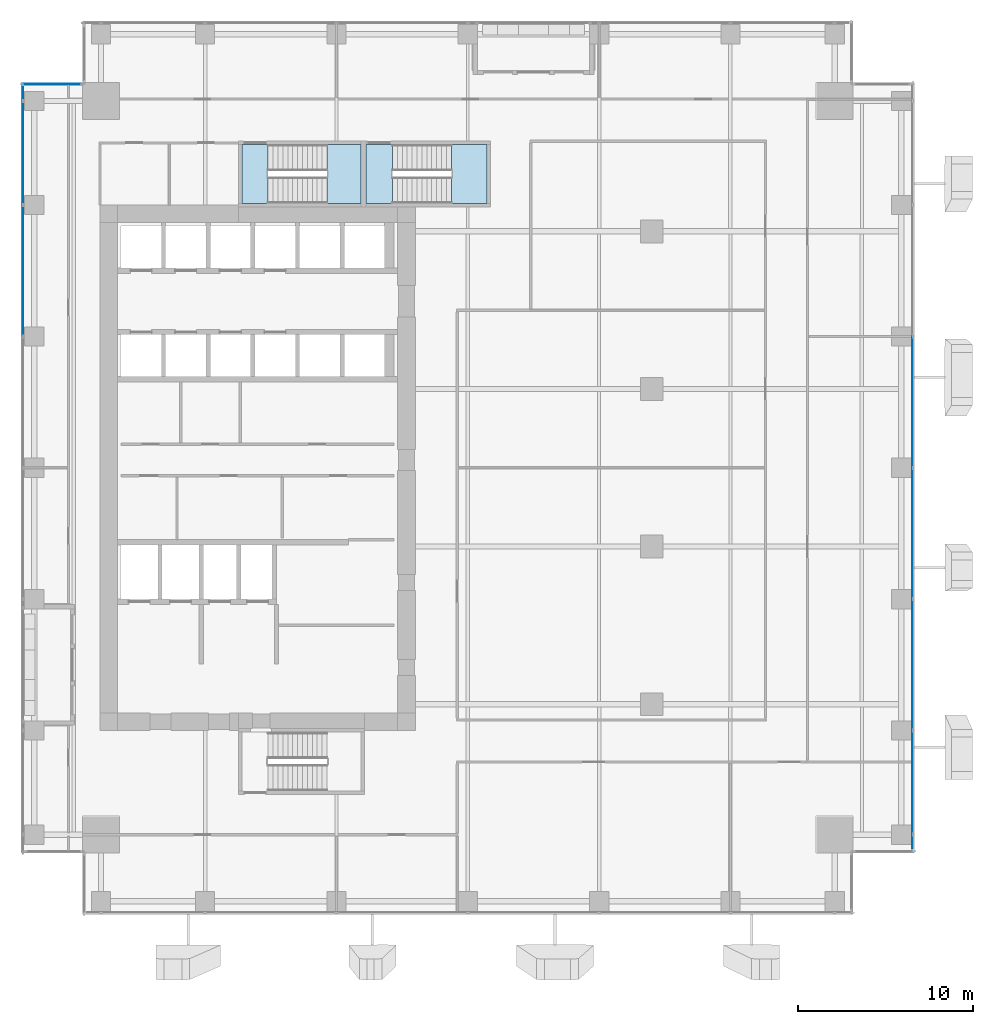
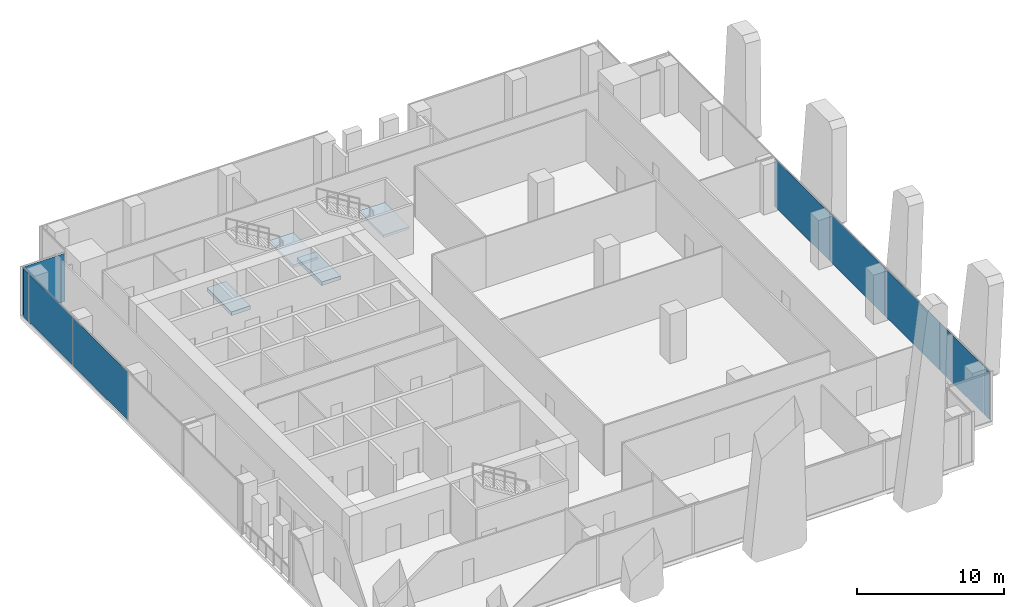
# One storey, part 25 of 35: 9 plates, 4 slabs, 5 elements without a shape of their own.
"""IFC4 building model written with IfcOpenShell, lengths in metres."""

from ifc_helpers import new_model, si_unit, direction, frame, origin, origin_2d, place, context, subcontext, project, spatial, polyline, rectangle, outline, extrude, source, transform, mapped, material, layer, layer_set, type_object, element, aggregate, save


model = new_model("IFC4")

# Units and contexts
model_context = context("Model", 3, precision=1e-05, world=origin(), true_north=direction((0.0, 1.0)))
body_context = subcontext(model_context, "Body", "Model", "MODEL_VIEW")
ifc_project = project(units=[si_unit("LENGTHUNIT", "METRE"), si_unit("AREAUNIT", "SQUARE_METRE"), si_unit("VOLUMEUNIT", "CUBIC_METRE"), si_unit("PLANEANGLEUNIT", "RADIAN"), si_unit("MASSUNIT", "GRAM", prefix="KILO")], contexts=[model_context])

# Site, building, storey
site_placement = place(None, origin())
site = spatial("IfcSite", under=ifc_project, at=site_placement, CompositionType="ELEMENT")
building_placement = place(site_placement, origin())
building = spatial("IfcBuilding", under=site, at=building_placement, Name="Khomas Fold Tower", CompositionType="ELEMENT")
storey_placement = place(building_placement, frame((0.0, 0.0, 119.10009765625)))
storey = spatial("IfcBuildingStorey", under=building, at=storey_placement, Name="L25", CompositionType="ELEMENT", Elevation=119.10009765625)

# Curtain wall, plate
ifc_material_1 = material(Name="Aluminium framed double glazing", Category="aluminium")
curtain_wall_type = type_object("IfcCurtainWallType", Name="SK-Unitised clear-glass wall, growing floors CW1", PredefinedType="NOTDEFINED", material=ifc_material_1)
curtain_wall_1_placement = place(storey_placement, origin())
curtain_wall_1 = element("IfcCurtainWall", 1, at=curtain_wall_1_placement, inside=storey, type_object=curtain_wall_type, Name="CW1 run L25 03-0", PredefinedType="NOTDEFINED")
ifc_material_2 = material(Name="Clear double glazed unit")
ifc_layer_1 = layer(ifc_material_2, 0.031982421875)
ifc_layer_set_1 = layer_set([ifc_layer_1], Name="Clear double glazed unit")
plate_type = type_object("IfcPlateType", Name="SK-Unitised clear-glass wall, growing floors glass panel CW1-P", PredefinedType="CURTAIN_PANEL", material=ifc_layer_set_1)
shared_shape_1 = source(origin(), body_context, "Body", "SweptSolid", [
    extrude(rectangle(XDim=0.760009765625, YDim=0.031982421875, at=origin_2d()), origin(), (0.0, 0.0, 1.0), 3.97998046875),
])
plate_1_placement = place(storey_placement, frame((52.39990234375, 5.639892578125, 0.0), z_axis=(0.0, 0.0, 1.0), x_axis=(0.0, 1.0, 0.0)))
plate_1 = element("IfcPlate", 2, at=plate_1_placement, type_object=plate_type, Name="CW1 glass panel 1", PredefinedType="CURTAIN_PANEL", context=body_context, shape_type="MappedRepresentation", body=[
    mapped(shared_shape_1, transform((0.0, 0.0, 0.0))),
])

curtain_wall_2_placement = place(storey_placement, origin())
curtain_wall_2 = element("IfcCurtainWall", 3, at=curtain_wall_2_placement, inside=storey, type_object=curtain_wall_type, Name="CW1 run L25 09-0", PredefinedType="NOTDEFINED")
plate_2_placement = place(storey_placement, frame((1.60009765625, 48.360107421875, 0.0), z_axis=(0.0, 0.0, 1.0), x_axis=(0.0, -1.0, 0.0)))
plate_2 = element("IfcPlate", 4, at=plate_2_placement, type_object=plate_type, Name="CW1 glass panel 1", PredefinedType="CURTAIN_PANEL", context=body_context, shape_type="MappedRepresentation", body=[
    mapped(shared_shape_1, transform((0.0, 0.0, 0.0))),
])

# Plate
shared_shape_2 = source(origin(), body_context, "Body", "SweptSolid", [
    extrude(rectangle(XDim=5.889892578125, YDim=0.031982421875, at=origin_2d()), origin(), (0.0, 0.0, 1.0), 3.97998046875),
])
plate_3_placement = place(storey_placement, frame((52.39990234375, 9.02490234375, 0.0), z_axis=(0.0, 0.0, 1.0), x_axis=(0.0, 1.0, 0.0)))
plate_3 = element("IfcPlate", 5, at=plate_3_placement, type_object=plate_type, Name="CW1 glass panel 2", PredefinedType="CURTAIN_PANEL", context=body_context, shape_type="MappedRepresentation", body=[
    mapped(shared_shape_2, transform((0.0, 0.0, 0.0))),
])

plate_4_placement = place(storey_placement, frame((1.60009765625, 44.97509765625, 0.0), z_axis=(0.0, 0.0, 1.0), x_axis=(0.0, -1.0, 0.0)))
plate_4 = element("IfcPlate", 6, at=plate_4_placement, type_object=plate_type, Name="CW1 glass panel 2", PredefinedType="CURTAIN_PANEL", context=body_context, shape_type="MappedRepresentation", body=[
    mapped(shared_shape_2, transform((0.0, 0.0, 0.0))),
])

shared_shape_3 = source(origin(), body_context, "Body", "SweptSolid", [
    extrude(rectangle(XDim=7.43994140625, YDim=0.031982421875, at=origin_2d()), origin(), (0.0, 0.0, 1.0), 3.97998046875),
])
plate_5_placement = place(storey_placement, frame((52.39990234375, 15.75, 0.0), z_axis=(0.0, 0.0, 1.0), x_axis=(0.0, 1.0, 0.0)))
plate_5 = element("IfcPlate", 7, at=plate_5_placement, type_object=plate_type, Name="CW1 glass panel 3", PredefinedType="CURTAIN_PANEL", context=body_context, shape_type="MappedRepresentation", body=[
    mapped(shared_shape_3, transform((0.0, 0.0, 0.0))),
])

plate_6_placement = place(storey_placement, frame((52.39990234375, 23.25, 0.0), z_axis=(0.0, 0.0, 1.0), x_axis=(0.0, 1.0, 0.0)))
plate_6 = element("IfcPlate", 8, at=plate_6_placement, type_object=plate_type, Name="CW1 glass panel 4", PredefinedType="CURTAIN_PANEL", context=body_context, shape_type="MappedRepresentation", body=[
    mapped(shared_shape_3, transform((0.0, 0.0, 0.0))),
])

plate_7_placement = place(storey_placement, frame((52.39990234375, 30.75, 0.0), z_axis=(0.0, 0.0, 1.0), x_axis=(0.0, 1.0, 0.0)))
plate_7 = element("IfcPlate", 9, at=plate_7_placement, type_object=plate_type, Name="CW1 glass panel 5", PredefinedType="CURTAIN_PANEL", context=body_context, shape_type="MappedRepresentation", body=[
    mapped(shared_shape_3, transform((0.0, 0.0, 0.0))),
])

aggregate(curtain_wall_1, [plate_1, plate_3, plate_5, plate_6, plate_7])

plate_8_placement = place(storey_placement, frame((1.60009765625, 38.25, 0.0), z_axis=(0.0, 0.0, 1.0), x_axis=(0.0, -1.0, 0.0)))
plate_8 = element("IfcPlate", 10, at=plate_8_placement, type_object=plate_type, Name="CW1 glass panel 3", PredefinedType="CURTAIN_PANEL", context=body_context, shape_type="MappedRepresentation", body=[
    mapped(shared_shape_3, transform((0.0, 0.0, 0.0))),
])

aggregate(curtain_wall_2, [plate_2, plate_4, plate_8])

# Curtain wall, plate
curtain_wall_3_placement = place(storey_placement, origin())
curtain_wall_3 = element("IfcCurtainWall", 11, at=curtain_wall_3_placement, inside=storey, type_object=curtain_wall_type, Name="CW1 corner return L25 08", PredefinedType="NOTDEFINED")
shared_shape_4 = source(origin(), body_context, "Body", "SweptSolid", [
    extrude(rectangle(XDim=3.3798828125, YDim=0.031982421875, at=origin_2d()), origin(), (0.0, 0.0, 1.0), 3.97998046875),
])
plate_9_placement = place(storey_placement, frame((3.25, 48.89990234375, 0.0), z_axis=(0.0, 0.0, 1.0), x_axis=(-1.0, 0.0, 0.0)))
plate_9 = element("IfcPlate", 12, at=plate_9_placement, type_object=plate_type, Name="CW1 glass panel 1", PredefinedType="CURTAIN_PANEL", context=body_context, shape_type="MappedRepresentation", body=[
    mapped(shared_shape_4, transform((0.0, 0.0, 0.0))),
])
aggregate(curtain_wall_3, [plate_9])

# Stair, slab
ifc_material_3 = material(Name="Concrete C40/50", Category="concrete")
stair_type_1 = type_object("IfcStairType", Name="Stair ST1", PredefinedType="HALF_TURN_STAIR", material=ifc_material_3)
stair_1_placement = place(storey_placement, origin())
stair_1 = element("IfcStair", 13, at=stair_1_placement, inside=storey, type_object=stair_type_1, Name="L25 ST1", PredefinedType="HALF_TURN_STAIR")
ifc_material_4 = material(Name="Concrete C40/50", Category="concrete")
ifc_layer_2 = layer(ifc_material_4, 0.199951171875)
ifc_layer_set_2 = layer_set([ifc_layer_2], Name="Concrete C40/50")
slab_type_1 = type_object("IfcSlabType", Name="Stair landing 200", PredefinedType="LANDING", material=ifc_layer_set_2)
shared_shape_5 = source(origin(), body_context, "Body", "SweptSolid", [
    extrude(outline(polyline([(18.9599609375, 42.10009765625), (20.89990234375, 42.10009765625), (20.89990234375, 45.449951171875), (18.9599609375, 45.449951171875), (18.9599609375, 42.10009765625)])), origin(), (0.0, 0.0, 1.0), 0.199951171875),
])
slab_1_placement = place(storey_placement, frame((0.0, 0.0, 2.0)))
slab_1 = element("IfcSlab", 14, at=slab_1_placement, type_object=slab_type_1, Name="ST1 landing 1", PredefinedType="LANDING", context=body_context, shape_type="MappedRepresentation", body=[
    mapped(shared_shape_5, transform((0.0, 0.0, 0.0))),
])
aggregate(stair_1, [slab_1])

# Slab
ifc_material_5 = material(Name="Concrete C40/50", Category="concrete")
ifc_layer_3 = layer(ifc_material_5, 0.300048828125)
ifc_layer_set_3 = layer_set([ifc_layer_3], Name="Concrete C40/50")
slab_type_2 = type_object("IfcSlabType", Name="Stair floor landing 300", PredefinedType="LANDING", material=ifc_layer_set_3)
shared_shape_6 = source(origin(), body_context, "Body", "SweptSolid", [
    extrude(outline(polyline([(15.60009765625, 42.10009765625), (14.10009765625, 42.10009765625), (14.10009765625, 45.449951171875), (15.60009765625, 45.449951171875), (15.60009765625, 42.10009765625)])), origin(), (0.0, 0.0, 1.0), 0.300048828125),
])
slab_2_placement = place(storey_placement, frame((0.0, 0.0, -0.300048828125)))
element("IfcSlab", 15, at=slab_2_placement, inside=storey, type_object=slab_type_2, Name="ST1 floor landing", PredefinedType="LANDING", context=body_context, shape_type="MappedRepresentation", body=[
    mapped(shared_shape_6, transform((0.0, 0.0, 0.0))),
])

# Stair, slab
ifc_material_6 = material(Name="Concrete C40/50", Category="concrete")
stair_type_2 = type_object("IfcStairType", Name="Stair ST3", PredefinedType="HALF_TURN_STAIR", material=ifc_material_6)
stair_2_placement = place(storey_placement, origin())
stair_2 = element("IfcStair", 16, at=stair_2_placement, inside=storey, type_object=stair_type_2, Name="L25 ST3", PredefinedType="HALF_TURN_STAIR")
shared_shape_7 = source(origin(), body_context, "Body", "SweptSolid", [
    extrude(outline(polyline([(26.06005859375, 42.10009765625), (28.10009765625, 42.10009765625), (28.10009765625, 45.449951171875), (26.06005859375, 45.449951171875), (26.06005859375, 42.10009765625)])), origin(), (0.0, 0.0, 1.0), 0.199951171875),
])
slab_3_placement = place(storey_placement, frame((0.0, 0.0, 2.0)))
slab_3 = element("IfcSlab", 17, at=slab_3_placement, type_object=slab_type_1, Name="ST3 landing 1", PredefinedType="LANDING", context=body_context, shape_type="MappedRepresentation", body=[
    mapped(shared_shape_7, transform((0.0, 0.0, 0.0))),
])
aggregate(stair_2, [slab_3])

# Slab
shared_shape_8 = source(origin(), body_context, "Body", "SweptSolid", [
    extrude(outline(polyline([(22.699951171875, 42.10009765625), (21.199951171875, 42.10009765625), (21.199951171875, 45.449951171875), (22.699951171875, 45.449951171875), (22.699951171875, 42.10009765625)])), origin(), (0.0, 0.0, 1.0), 0.300048828125),
])
slab_4_placement = place(storey_placement, frame((0.0, 0.0, -0.300048828125)))
element("IfcSlab", 18, at=slab_4_placement, inside=storey, type_object=slab_type_2, Name="ST3 floor landing", PredefinedType="LANDING", context=body_context, shape_type="MappedRepresentation", body=[
    mapped(shared_shape_8, transform((0.0, 0.0, 0.0))),
])

save(model, "model.ifc")
